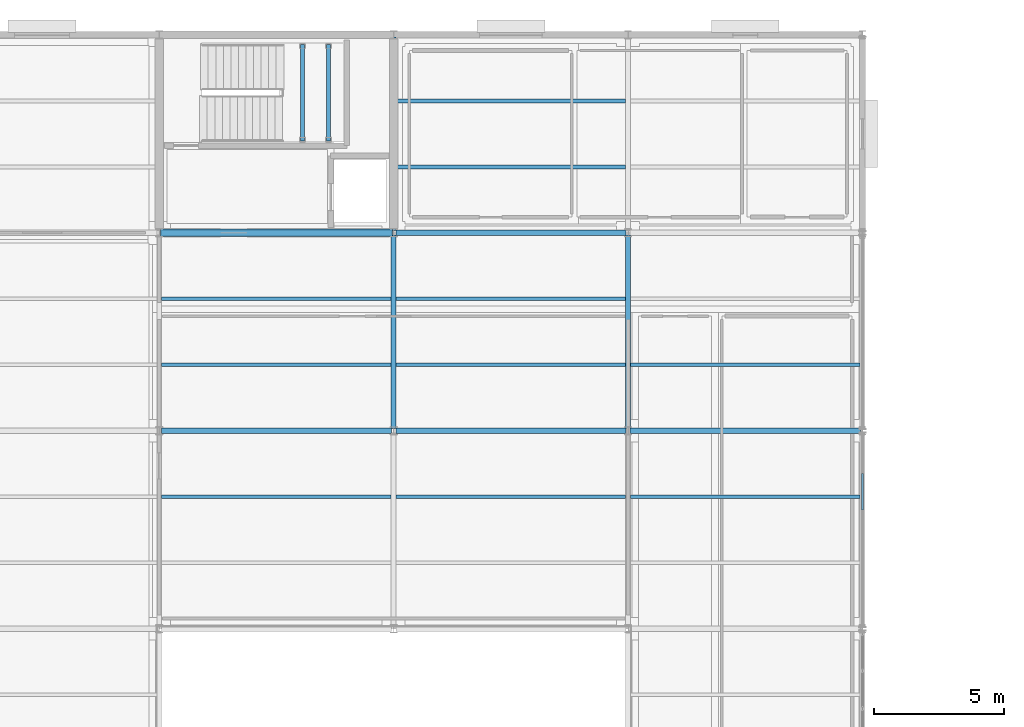
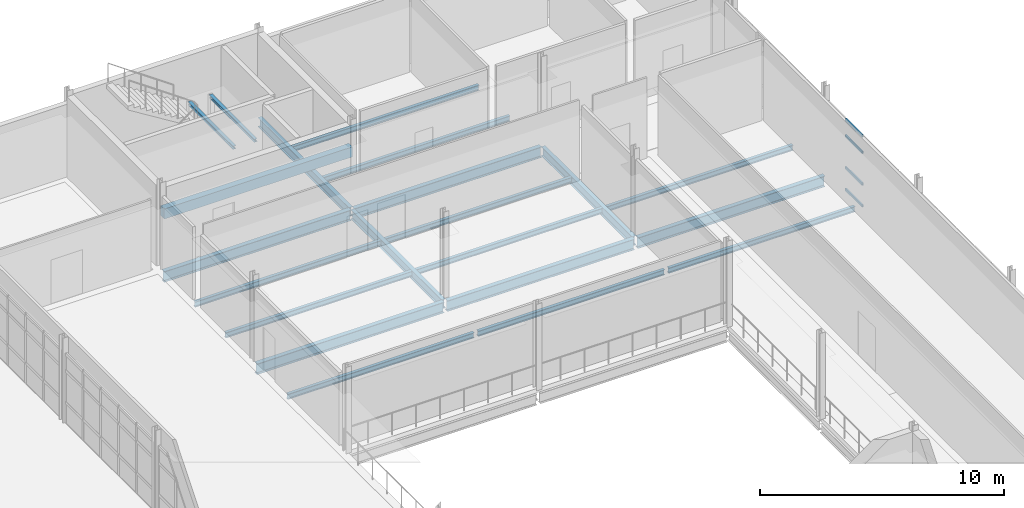
# One storey, part 64 of 96: 21 beams, 4 members, 1 element without a shape of its own.
"""IFC4 building model written with IfcOpenShell, lengths in metres."""

from ifc_helpers import new_model, si_unit, direction, frame, origin, origin_2d, place, context, subcontext, project, spatial, rectangle, hollow_rectangle, i_section, extrude, material, material_profile, profile_set, type_object, element, aggregate, save


model = new_model("IFC4")

# Units and contexts
model_context = context("Model", 3, precision=1e-05, world=origin(), true_north=direction((0.0, 1.0)))
body_context = subcontext(model_context, "Body", "Model", "MODEL_VIEW")
ifc_project = project(units=[si_unit("LENGTHUNIT", "METRE"), si_unit("AREAUNIT", "SQUARE_METRE"), si_unit("VOLUMEUNIT", "CUBIC_METRE"), si_unit("PLANEANGLEUNIT", "RADIAN"), si_unit("MASSUNIT", "GRAM", prefix="KILO")], contexts=[model_context])

# Site, building, storey
site_placement = place(None, origin())
site = spatial("IfcSite", under=ifc_project, at=site_placement, CompositionType="ELEMENT")
building_placement = place(site_placement, origin())
building = spatial("IfcBuilding", under=site, at=building_placement, Name="Caisbarro Railhouse Central Library", CompositionType="ELEMENT")
storey_placement = place(building_placement, frame((0.0, 0.0, 13.679931640625)))
storey = spatial("IfcBuildingStorey", under=building, at=storey_placement, Name="L03", CompositionType="ELEMENT", Elevation=13.679931640625)

# Beams
ifc_material_1 = material(Name="Steel ASTM A572 Grade 50", Category="steel")
ifc_material_profile_1 = material_profile(ifc_material_1, i_section(OverallWidth=0.208984375, OverallDepth=0.532958984375, WebThickness=0.01025390625, FlangeThickness=0.015625, FilletRadius=0.02001953125, at=origin_2d()), Name="W530X92.0")
ifc_profile_set_1 = profile_set([ifc_material_profile_1], Name="Steel ASTM A572 Grade 50")
beam_type_1 = type_object("IfcBeamType", Name="BM-G06", PredefinedType="BEAM", material=ifc_profile_set_1)
for number, where, z_axis, x_axis, name in (
    (1, (126.080078125, 98.800048828125, -0.486328125), (1.0, 0.0, 0.0), (0.0, 1.0, 0.0), "G06 beam L03 #1870"),
    (2, (135.080078125, 98.800048828125, -0.486328125), (1.0, 0.0, 0.0), (0.0, 1.0, 0.0), "G06 beam L03 #1871"),
    (3, (144.080078125, 98.800048828125, -0.486328125), (1.0, 0.0, 0.0), (0.0, 1.0, 0.0), "G06 beam L03 #1872"),
    (4, (126.080078125, 106.39990234375, -0.486328125), (1.0, 0.0, 0.0), (0.0, 1.0, 0.0), "G06 beam L03 #1874"),
    (5, (135.080078125, 106.39990234375, -0.486328125), (1.0, 0.0, 0.0), (0.0, 1.0, 0.0), "G06 beam L03 #1875"),
):
    element("IfcBeam", number, at=place(storey_placement, frame(where, z_axis=z_axis, x_axis=x_axis)), inside=storey, type_object=beam_type_1, Name=name, PredefinedType="BEAM", context=body_context, shape_type="SweptSolid", body=[
        extrude(i_section(OverallWidth=0.208984375, OverallDepth=0.532958984375, WebThickness=0.01025390625, FlangeThickness=0.015625, FilletRadius=0.02001953125, at=origin_2d()), origin(), (0.0, 0.0, 1.0), 8.83984375),
    ])
ifc_material_profile_2 = material_profile(ifc_material_1, i_section(OverallWidth=0.18994140625, OverallDepth=0.45703125, WebThickness=0.009033203125, FlangeThickness=0.014404296875, FilletRadius=0.01806640625, at=origin_2d()), Name="W460X74.0")
ifc_profile_set_2 = profile_set([ifc_material_profile_2], Name="Steel ASTM A572 Grade 50")
beam_type_2 = type_object("IfcBeamType", Name="BM-G08", PredefinedType="BEAM", material=ifc_profile_set_2)
beam_1_placement = place(storey_placement, frame((135.0, 98.8798828125, -0.448486328125), z_axis=(0.0, 1.0, 0.0), x_axis=(-1.0, 0.0, 0.0)))
element("IfcBeam", 6, at=beam_1_placement, inside=storey, type_object=beam_type_2, Name="G08 beam L03 #1895", PredefinedType="BEAM", context=body_context, shape_type="SweptSolid", body=[
    extrude(i_section(OverallWidth=0.18994140625, OverallDepth=0.45703125, WebThickness=0.009033203125, FlangeThickness=0.014404296875, FilletRadius=0.01806640625, at=origin_2d()), origin(), (0.0, 0.0, 1.0), 7.440185546875),
])
beam_2_placement = place(storey_placement, frame((135.0, 106.47998046875, -0.448486328125), z_axis=(0.0, 1.0, 0.0), x_axis=(-1.0, 0.0, 0.0)))
element("IfcBeam", 7, at=beam_2_placement, inside=storey, type_object=beam_type_2, Name="G08 beam L03 #1896", PredefinedType="BEAM", context=body_context, shape_type="SweptSolid", body=[
    extrude(i_section(OverallWidth=0.18994140625, OverallDepth=0.45703125, WebThickness=0.009033203125, FlangeThickness=0.014404296875, FilletRadius=0.01806640625, at=origin_2d()), origin(), (0.0, 0.0, 1.0), 7.43994140625),
])
beam_3_placement = place(storey_placement, frame((144.0, 98.8798828125, -0.448486328125), z_axis=(0.0, 1.0, 0.0), x_axis=(-1.0, 0.0, 0.0)))
element("IfcBeam", 8, at=beam_3_placement, inside=storey, type_object=beam_type_2, Name="G08 beam L03 #1901", PredefinedType="BEAM", context=body_context, shape_type="SweptSolid", body=[
    extrude(i_section(OverallWidth=0.18994140625, OverallDepth=0.45703125, WebThickness=0.009033203125, FlangeThickness=0.014404296875, FilletRadius=0.01806640625, at=origin_2d()), origin(), (0.0, 0.0, 1.0), 7.440185546875),
])
ifc_material_profile_3 = material_profile(ifc_material_1, i_section(OverallWidth=0.14794921875, OverallDepth=0.26611328125, WebThickness=0.007568359375, FlangeThickness=0.012939453125, FilletRadius=0.010009765625, at=origin_2d()), Name="W250X44.8")
ifc_profile_set_3 = profile_set([ifc_material_profile_3], Name="Steel ASTM A572 Grade 50")
beam_type_3 = type_object("IfcBeamType", Name="BM-J04", PredefinedType="JOIST", material=ifc_profile_set_3)
for number, where, z_axis, x_axis, name in (
    (9, (126.094970703125, 96.2666015625, -0.35302734375), (1.0, 0.0, 0.0), (0.0, 1.0, 0.0), "J04 beam L03 #1924"),
    (10, (126.094970703125, 101.333251953125, -0.35302734375), (1.0, 0.0, 0.0), (0.0, 1.0, 0.0), "J04 beam L03 #1925"),
    (11, (126.094970703125, 103.86669921875, -0.35302734375), (1.0, 0.0, 0.0), (0.0, 1.0, 0.0), "J04 beam L03 #1926"),
    (12, (135.094970703125, 96.2666015625, -0.35302734375), (1.0, 0.0, 0.0), (0.0, 1.0, 0.0), "J04 beam L03 #1928"),
    (13, (135.094970703125, 101.333251953125, -0.35302734375), (1.0, 0.0, 0.0), (0.0, 1.0, 0.0), "J04 beam L03 #1929"),
    (14, (135.094970703125, 103.86669921875, -0.35302734375), (1.0, 0.0, 0.0), (0.0, 1.0, 0.0), "J04 beam L03 #1930"),
    (15, (135.094970703125, 108.933349609375, -0.35302734375), (1.0, 0.0, 0.0), (0.0, 1.0, 0.0), "J04 beam L03 #1931"),
    (16, (135.094970703125, 111.466796875, -0.35302734375), (1.0, 0.0, 0.0), (0.0, 1.0, 0.0), "J04 beam L03 #1932"),
):
    element("IfcBeam", number, at=place(storey_placement, frame(where, z_axis=z_axis, x_axis=x_axis)), inside=storey, type_object=beam_type_3, Name=name, PredefinedType="JOIST", context=body_context, shape_type="SweptSolid", body=[
        extrude(i_section(OverallWidth=0.14794921875, OverallDepth=0.26611328125, WebThickness=0.007568359375, FlangeThickness=0.012939453125, FilletRadius=0.010009765625, at=origin_2d()), origin(), (0.0, 0.0, 1.0), 8.81005859375),
    ])
for number, where, z_axis, x_axis, name in (
    (17, (144.094970703125, 96.2666015625, -0.35302734375), (1.0, 0.0, 0.0), (0.0, 1.0, 0.0), "J04 beam L03 #1940"),
    (18, (144.094970703125, 101.333251953125, -0.35302734375), (1.0, 0.0, 0.0), (0.0, 1.0, 0.0), "J04 beam L03 #1941"),
):
    element("IfcBeam", number, at=place(storey_placement, frame(where, z_axis=z_axis, x_axis=x_axis)), inside=storey, type_object=beam_type_3, Name=name, PredefinedType="JOIST", context=body_context, shape_type="SweptSolid", body=[
        extrude(i_section(OverallWidth=0.14794921875, OverallDepth=0.26611328125, WebThickness=0.007568359375, FlangeThickness=0.012939453125, FilletRadius=0.010009765625, at=origin_2d()), origin(), (0.0, 0.0, 1.0), 8.804931640625),
    ])
ifc_material_2 = material(Name="Concrete C40", Category="concrete")
ifc_material_profile_4 = material_profile(ifc_material_2, rectangle(XDim=0.300048828125, YDim=0.5, at=origin_2d()), Name="RC-LIN-300X500")
ifc_profile_set_4 = profile_set([ifc_material_profile_4], Name="Concrete C40")
beam_type_4 = type_object("IfcBeamType", Name="BM-LN03", PredefinedType="LINTEL", material=ifc_profile_set_4)
beam_4_placement = place(storey_placement, frame((126.050048828125, 106.39990234375, 2.699951171875), z_axis=(1.0, 0.0, 0.0), x_axis=(0.0, 1.0, 0.0)))
element("IfcBeam", 19, at=beam_4_placement, inside=storey, type_object=beam_type_4, Name="LN03 RC core coupling lintel K3 L03", PredefinedType="LINTEL", context=body_context, shape_type="SweptSolid", body=[
    extrude(rectangle(XDim=0.300048828125, YDim=0.5, at=origin_2d()), origin(), (0.0, 0.0, 1.0), 8.89990234375),
])
ifc_material_profile_5 = material_profile(ifc_material_1, i_section(OverallWidth=0.152099609375, OverallDepth=0.152099609375, WebThickness=0.005859375, FlangeThickness=0.006591796875, FilletRadius=0.008056640625, at=origin_2d()), Name="W150X22.5")
ifc_profile_set_5 = profile_set([ifc_material_profile_5], Name="Steel ASTM A572 Grade 50")
beam_type_5 = type_object("IfcBeamType", Name="BM-SL03", PredefinedType="BEAM", material=ifc_profile_set_5)
for number, where, z_axis, x_axis, name in (
    (20, (131.5, 109.929931640625, 1.89404296875), (0.0, 1.0, 0.0), (-1.0, 0.0, 0.0), "SL03 Stair Landing Support Beam K3 L03 W"),
    (21, (132.5, 109.929931640625, 1.89404296875), (0.0, 1.0, 0.0), (-1.0, 0.0, 0.0), "SL03 Stair Landing Support Beam K3 L03 E"),
):
    element("IfcBeam", number, at=place(storey_placement, frame(where, z_axis=z_axis, x_axis=x_axis)), inside=storey, type_object=beam_type_5, Name=name, PredefinedType="BEAM", context=body_context, shape_type="SweptSolid", body=[
        extrude(i_section(OverallWidth=0.152099609375, OverallDepth=0.152099609375, WebThickness=0.005859375, FlangeThickness=0.006591796875, FilletRadius=0.008056640625, at=origin_2d()), origin(), (0.0, 0.0, 1.0), 3.690185546875),
    ])

# Curtain wall, members
ifc_material_3 = material(Name="Anodised architectural aluminium", Category="aluminium")
curtain_wall_type = type_object("IfcCurtainWallType", Name="CW-CW03", PredefinedType="NOTDEFINED", material=ifc_material_3)
curtain_wall_placement = place(storey_placement, origin())
curtain_wall = element("IfcCurtainWall", 22, at=curtain_wall_placement, inside=storey, type_object=curtain_wall_type, Name="CW03 curtain wall L03 #153", PredefinedType="NOTDEFINED")
ifc_material_profile_6 = material_profile(ifc_material_3, hollow_rectangle(XDim=0.06494140625, YDim=0.1201171875, WallThickness=0.00341796875, at=origin_2d()), Name="ALU-TRN-65X120")
ifc_profile_set_6 = profile_set([ifc_material_profile_6], Name="Anodised architectural aluminium")
member_type = type_object("IfcMemberType", Name="CWT-T02", PredefinedType="USERDEFINED", material=ifc_profile_set_6)
member_1_placement = place(storey_placement, frame((153.0, 95.760498046875, 0.032470703125), z_axis=(0.0, 1.0, 0.0), x_axis=(-1.0, 0.0, 0.0)))
member_1 = element("IfcMember", 23, at=member_1_placement, type_object=member_type, Name="CW03 transom 4.1", ObjectType="TRANSOM", PredefinedType="USERDEFINED", context=body_context, shape_type="SweptSolid", body=[
    extrude(hollow_rectangle(XDim=0.06494140625, YDim=0.1201171875, WallThickness=0.00341796875, at=origin_2d()), origin(), (0.0, 0.0, 1.0), 1.39111328125),
])
member_2_placement = place(storey_placement, frame((153.0, 95.760498046875, 1.1201171875), z_axis=(0.0, 1.0, 0.0), x_axis=(-1.0, 0.0, 0.0)))
member_2 = element("IfcMember", 24, at=member_2_placement, type_object=member_type, Name="CW03 transom 4.2", ObjectType="TRANSOM", PredefinedType="USERDEFINED", context=body_context, shape_type="SweptSolid", body=[
    extrude(hollow_rectangle(XDim=0.06494140625, YDim=0.1201171875, WallThickness=0.00341796875, at=origin_2d()), origin(), (0.0, 0.0, 1.0), 1.39111328125),
])
member_3_placement = place(storey_placement, frame((153.0, 95.760498046875, 2.7099609375), z_axis=(0.0, 1.0, 0.0), x_axis=(-1.0, 0.0, 0.0)))
member_3 = element("IfcMember", 25, at=member_3_placement, type_object=member_type, Name="CW03 transom 4.3", ObjectType="TRANSOM", PredefinedType="USERDEFINED", context=body_context, shape_type="SweptSolid", body=[
    extrude(hollow_rectangle(XDim=0.06494140625, YDim=0.1201171875, WallThickness=0.00341796875, at=origin_2d()), origin(), (0.0, 0.0, 1.0), 1.39111328125),
])
member_4_placement = place(storey_placement, frame((153.0, 95.760498046875, 3.527587890625), z_axis=(0.0, 1.0, 0.0), x_axis=(-1.0, 0.0, 0.0)))
member_4 = element("IfcMember", 26, at=member_4_placement, type_object=member_type, Name="CW03 transom 4.4", ObjectType="TRANSOM", PredefinedType="USERDEFINED", context=body_context, shape_type="SweptSolid", body=[
    extrude(hollow_rectangle(XDim=0.06494140625, YDim=0.1201171875, WallThickness=0.00341796875, at=origin_2d()), origin(), (0.0, 0.0, 1.0), 1.39111328125),
])
aggregate(curtain_wall, [member_1, member_2, member_3, member_4])

save(model, "model.ifc")
